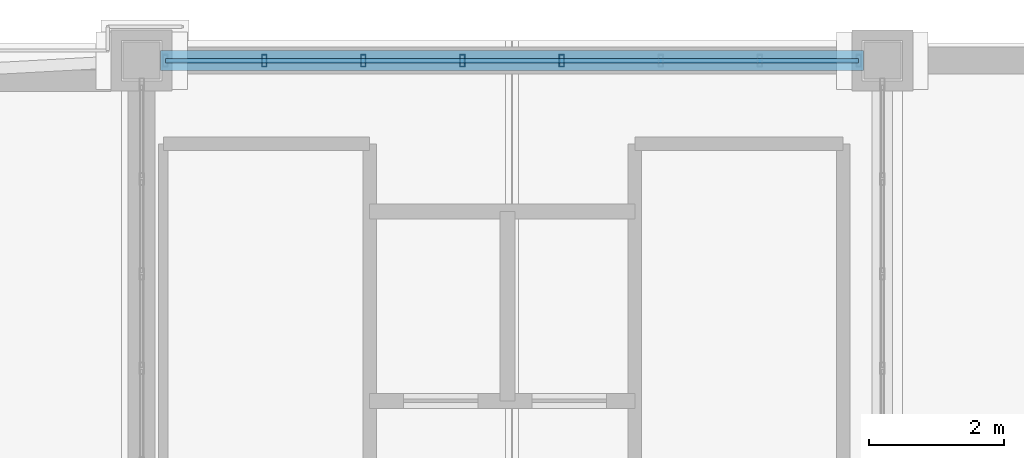
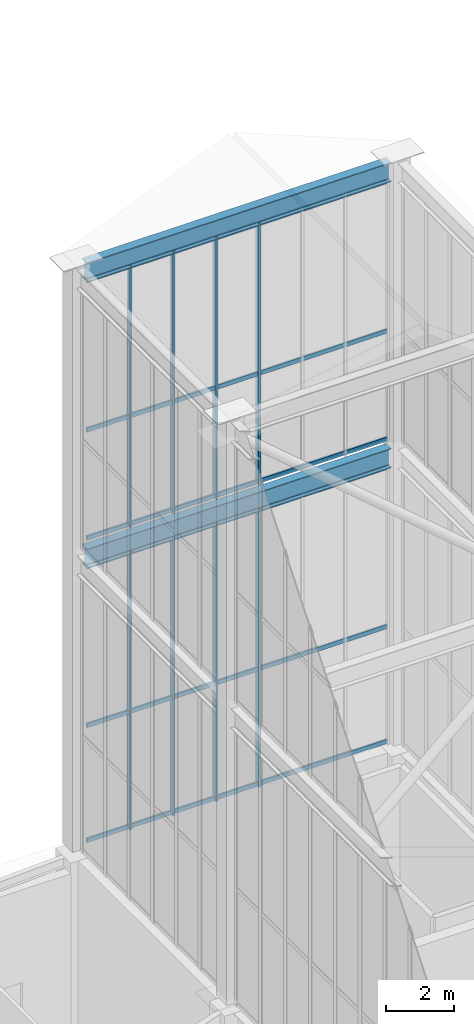
# One storey, part 22 of 135: 14 members, 2 beams, 2 elements without a shape of their own.
"""IFC4 building model written with IfcOpenShell, lengths in metres."""

from ifc_helpers import new_model, si_unit, direction, frame, origin, origin_2d, place, context, subcontext, project, spatial, hollow_rectangle, i_section, extrude, source, transform, mapped, material, layer, layer_set, material_profile, profile_set, type_object, element, aggregate, save


model = new_model("IFC4")

# Units and contexts
model_context = context("Model", 3, precision=1e-05, world=origin(), true_north=direction((0.0, 1.0)))
body_context = subcontext(model_context, "Body", "Model", "MODEL_VIEW")
ifc_project = project(units=[si_unit("LENGTHUNIT", "METRE"), si_unit("AREAUNIT", "SQUARE_METRE"), si_unit("VOLUMEUNIT", "CUBIC_METRE"), si_unit("PLANEANGLEUNIT", "RADIAN"), si_unit("MASSUNIT", "GRAM", prefix="KILO")], contexts=[model_context])

# Site, building, storey
site_placement = place(None, origin())
site = spatial("IfcSite", under=ifc_project, at=site_placement, CompositionType="ELEMENT")
building_placement = place(site_placement, origin())
building = spatial("IfcBuilding", under=site, at=building_placement, Name="Giltprow Tower", CompositionType="ELEMENT")
storey_placement = place(building_placement, frame((0.0, 0.0, 352.699951171875)))
storey = spatial("IfcBuildingStorey", under=building, at=storey_placement, Name="L92", CompositionType="ELEMENT", Elevation=352.699951171875)

# Beams
ifc_material_1 = material(Name="Structural steel Q355B", Category="steel")
ifc_material_profile_1 = material_profile(ifc_material_1, i_section(OverallWidth=0.300048828125, OverallDepth=0.699951171875, WebThickness=0.012939453125, FlangeThickness=0.02392578125, at=origin_2d()), Name="HN 700x300x13x24")
ifc_profile_set_1 = profile_set([ifc_material_profile_1], Name="Structural steel Q355B")
beam_type = type_object("IfcBeamType", Name="BM-CRN-RING-HN700", PredefinedType="BEAM", material=ifc_profile_set_1)
shared_shape_1 = source(origin(), body_context, "Body", "SweptSolid", [
    extrude(i_section(OverallWidth=0.300048828125, OverallDepth=0.699951171875, WebThickness=0.012939453125, FlangeThickness=0.02392578125, at=origin_2d()), origin(), (0.0, 0.0, 1.0), 10.39013671875),
])
for number, where, z_axis, x_axis, name in (
    (1, (30.52001953125, 46.550048828125, 16.699951171875), (-1.0, 0.0, 0.0), (0.0, -1.0, 0.0), "Crown Frame West Ring Beam 1-4"),
    (2, (30.52001953125, 46.550048828125, 27.01708984375), (-1.0, 0.0, 0.0), (0.0, -1.0, 0.0), "Crown Frame West Ring Beam 2-4"),
):
    element("IfcBeam", number, at=place(storey_placement, frame(where, z_axis=z_axis, x_axis=x_axis)), inside=storey, type_object=beam_type, Name=name, PredefinedType="BEAM", context=body_context, shape_type="MappedRepresentation", body=[
        mapped(shared_shape_1, transform((0.0, 0.0, 0.0), x_axis=(1.0, 0.0, 0.0), y_axis=(0.0, 1.0, 0.0), z_axis=(0.0, 0.0, 1.0), scale=1.0)),
    ])

# Curtain wall, members
ifc_material_2 = material(Name="Anodized bronze", Category="metal")
ifc_layer = layer(ifc_material_2, 0.179931640625, Name="Anodized bronze")
ifc_layer_set = layer_set([ifc_layer], Name="Anodized bronze")
curtain_wall_type = type_object("IfcCurtainWallType", Name="CW-CROWN-LANTERN", PredefinedType="NOTDEFINED", material=ifc_layer_set)
curtain_wall_1_placement = place(storey_placement, origin())
curtain_wall_1 = element("IfcCurtainWall", 3, at=curtain_wall_1_placement, inside=storey, type_object=curtain_wall_type, Name="Crown West Lower Lantern Glazing 4", PredefinedType="NOTDEFINED")
ifc_material_profile_2 = material_profile(ifc_material_2, hollow_rectangle(XDim=0.074951171875, YDim=0.179931640625, WallThickness=0.008056640625, at=origin_2d()), Name="RHS 180x75x8")
ifc_profile_set_2 = profile_set([ifc_material_profile_2], Name="Anodized bronze")
member_type_1 = type_object("IfcMemberType", Name="CW-MULLION-180x75", PredefinedType="MULLION", material=ifc_profile_set_2)
shared_shape_2 = source(origin(), body_context, "Body", "SweptSolid", [
    extrude(hollow_rectangle(XDim=0.074951171875, YDim=0.179931640625, WallThickness=0.008056640625, at=origin_2d()), origin(), (0.0, 0.0, 1.0), 10.030029296875),
])
member_1_placement = place(storey_placement, frame((26.056884765625, 46.550048828125, 6.35009765625), z_axis=(0.0, 0.0, 1.0), x_axis=(1.0, 0.0, 0.0)))
member_1 = element("IfcMember", 4, at=member_1_placement, type_object=member_type_1, Name="Crown West Lower Lantern Glazing 4 Mullion 4", PredefinedType="MULLION", context=body_context, shape_type="MappedRepresentation", body=[
    mapped(shared_shape_2, transform((0.0, 0.0, 0.0), x_axis=(1.0, 0.0, 0.0), y_axis=(0.0, 1.0, 0.0), z_axis=(0.0, 0.0, 1.0), scale=1.0)),
])
member_2_placement = place(storey_placement, frame((24.593017578125, 46.550048828125, 6.35009765625), z_axis=(0.0, 0.0, 1.0), x_axis=(1.0, 0.0, 0.0)))
member_2 = element("IfcMember", 5, at=member_2_placement, type_object=member_type_1, Name="Crown West Lower Lantern Glazing 4 Mullion 5", PredefinedType="MULLION", context=body_context, shape_type="MappedRepresentation", body=[
    mapped(shared_shape_2, transform((0.0, 0.0, 0.0), x_axis=(1.0, 0.0, 0.0), y_axis=(0.0, 1.0, 0.0), z_axis=(0.0, 0.0, 1.0), scale=1.0)),
])
member_3_placement = place(storey_placement, frame((23.12890625, 46.550048828125, 6.35009765625), z_axis=(0.0, 0.0, 1.0), x_axis=(1.0, 0.0, 0.0)))
member_3 = element("IfcMember", 6, at=member_3_placement, type_object=member_type_1, Name="Crown West Lower Lantern Glazing 4 Mullion 6", PredefinedType="MULLION", context=body_context, shape_type="MappedRepresentation", body=[
    mapped(shared_shape_2, transform((0.0, 0.0, 0.0), x_axis=(1.0, 0.0, 0.0), y_axis=(0.0, 1.0, 0.0), z_axis=(0.0, 0.0, 1.0), scale=1.0)),
])
member_4_placement = place(storey_placement, frame((21.6640625, 46.550048828125, 6.35009765625), z_axis=(0.0, 0.0, 1.0), x_axis=(1.0, 0.0, 0.0)))
member_4 = element("IfcMember", 7, at=member_4_placement, type_object=member_type_1, Name="Crown West Lower Lantern Glazing 4 Mullion 7", PredefinedType="MULLION", context=body_context, shape_type="MappedRepresentation", body=[
    mapped(shared_shape_2, transform((0.0, 0.0, 0.0), x_axis=(1.0, 0.0, 0.0), y_axis=(0.0, 1.0, 0.0), z_axis=(0.0, 0.0, 1.0), scale=1.0)),
])
ifc_material_profile_3 = material_profile(ifc_material_2, hollow_rectangle(XDim=0.06494140625, YDim=0.14990234375, WallThickness=0.006103515625, at=origin_2d()), Name="RHS 150x65x6")
ifc_profile_set_3 = profile_set([ifc_material_profile_3], Name="Anodized bronze")
member_type_2 = type_object("IfcMemberType", Name="CW-TRANSOM-150x65", PredefinedType="USERDEFINED", material=ifc_profile_set_3)
shared_shape_3 = source(origin(), body_context, "Body", "SweptSolid", [
    extrude(hollow_rectangle(XDim=0.06494140625, YDim=0.14990234375, WallThickness=0.006103515625, at=origin_2d()), origin(), (0.0, 0.0, 1.0), 10.25),
])
member_5_placement = place(storey_placement, frame((30.449951171875, 46.550048828125, 6.43994140625), z_axis=(-1.0, 0.0, 0.0), x_axis=(0.0, -1.0, 0.0)))
member_5 = element("IfcMember", 8, at=member_5_placement, type_object=member_type_2, Name="Crown West Lower Lantern Glazing 4 Transom 1", ObjectType="TRANSOM", PredefinedType="USERDEFINED", context=body_context, shape_type="MappedRepresentation", body=[
    mapped(shared_shape_3, transform((0.0, 0.0, 0.0), x_axis=(1.0, 0.0, 0.0), y_axis=(0.0, 1.0, 0.0), z_axis=(0.0, 0.0, 1.0), scale=1.0)),
])
member_6_placement = place(storey_placement, frame((30.449951171875, 46.550048828125, 10.5791015625), z_axis=(-1.0, 0.0, 0.0), x_axis=(0.0, -1.0, 0.0)))
member_6 = element("IfcMember", 9, at=member_6_placement, type_object=member_type_2, Name="Crown West Lower Lantern Glazing 4 Transom 2", ObjectType="TRANSOM", PredefinedType="USERDEFINED", context=body_context, shape_type="MappedRepresentation", body=[
    mapped(shared_shape_3, transform((0.0, 0.0, 0.0), x_axis=(1.0, 0.0, 0.0), y_axis=(0.0, 1.0, 0.0), z_axis=(0.0, 0.0, 1.0), scale=1.0)),
])
member_7_placement = place(storey_placement, frame((30.449951171875, 46.550048828125, 16.31005859375), z_axis=(-1.0, 0.0, 0.0), x_axis=(0.0, -1.0, 0.0)))
member_7 = element("IfcMember", 10, at=member_7_placement, type_object=member_type_2, Name="Crown West Lower Lantern Glazing 4 Transom 3", ObjectType="TRANSOM", PredefinedType="USERDEFINED", context=body_context, shape_type="MappedRepresentation", body=[
    mapped(shared_shape_3, transform((0.0, 0.0, 0.0), x_axis=(1.0, 0.0, 0.0), y_axis=(0.0, 1.0, 0.0), z_axis=(0.0, 0.0, 1.0), scale=1.0)),
])
aggregate(curtain_wall_1, [member_1, member_2, member_3, member_4, member_5, member_6, member_7])

curtain_wall_2_placement = place(storey_placement, origin())
curtain_wall_2 = element("IfcCurtainWall", 11, at=curtain_wall_2_placement, inside=storey, type_object=curtain_wall_type, Name="Crown West Upper Lantern Glazing 4", PredefinedType="NOTDEFINED")
member_8_placement = place(storey_placement, frame((30.449951171875, 46.550048828125, 17.340087890625), z_axis=(-1.0, 0.0, 0.0), x_axis=(0.0, -1.0, 0.0)))
member_8 = element("IfcMember", 12, at=member_8_placement, type_object=member_type_2, Name="Crown West Upper Lantern Glazing 4 Transom 1", ObjectType="TRANSOM", PredefinedType="USERDEFINED", context=body_context, shape_type="MappedRepresentation", body=[
    mapped(shared_shape_3, transform((0.0, 0.0, 0.0), x_axis=(1.0, 0.0, 0.0), y_axis=(0.0, 1.0, 0.0), z_axis=(0.0, 0.0, 1.0), scale=1.0)),
])
member_9_placement = place(storey_placement, frame((30.449951171875, 46.550048828125, 21.234130859375), z_axis=(-1.0, 0.0, 0.0), x_axis=(0.0, -1.0, 0.0)))
member_9 = element("IfcMember", 13, at=member_9_placement, type_object=member_type_2, Name="Crown West Upper Lantern Glazing 4 Transom 2", ObjectType="TRANSOM", PredefinedType="USERDEFINED", context=body_context, shape_type="MappedRepresentation", body=[
    mapped(shared_shape_3, transform((0.0, 0.0, 0.0), x_axis=(1.0, 0.0, 0.0), y_axis=(0.0, 1.0, 0.0), z_axis=(0.0, 0.0, 1.0), scale=1.0)),
])
member_10_placement = place(storey_placement, frame((30.449951171875, 46.550048828125, 26.626953125), z_axis=(-1.0, 0.0, 0.0), x_axis=(0.0, -1.0, 0.0)))
member_10 = element("IfcMember", 14, at=member_10_placement, type_object=member_type_2, Name="Crown West Upper Lantern Glazing 4 Transom 3", ObjectType="TRANSOM", PredefinedType="USERDEFINED", context=body_context, shape_type="MappedRepresentation", body=[
    mapped(shared_shape_3, transform((0.0, 0.0, 0.0), x_axis=(1.0, 0.0, 0.0), y_axis=(0.0, 1.0, 0.0), z_axis=(0.0, 0.0, 1.0), scale=1.0)),
])
shared_shape_4 = source(origin(), body_context, "Body", "SweptSolid", [
    extrude(hollow_rectangle(XDim=0.074951171875, YDim=0.179931640625, WallThickness=0.008056640625, at=origin_2d()), origin(), (0.0, 0.0, 1.0), 9.45703125),
])
member_11_placement = place(storey_placement, frame((26.056884765625, 46.550048828125, 17.25), z_axis=(0.0, 0.0, 1.0), x_axis=(1.0, 0.0, 0.0)))
member_11 = element("IfcMember", 15, at=member_11_placement, type_object=member_type_1, Name="Crown West Upper Lantern Glazing 4 Mullion 4", PredefinedType="MULLION", context=body_context, shape_type="MappedRepresentation", body=[
    mapped(shared_shape_4, transform((0.0, 0.0, 0.0), x_axis=(1.0, 0.0, 0.0), y_axis=(0.0, 1.0, 0.0), z_axis=(0.0, 0.0, 1.0), scale=1.0)),
])
member_12_placement = place(storey_placement, frame((24.593017578125, 46.550048828125, 17.25), z_axis=(0.0, 0.0, 1.0), x_axis=(1.0, 0.0, 0.0)))
member_12 = element("IfcMember", 16, at=member_12_placement, type_object=member_type_1, Name="Crown West Upper Lantern Glazing 4 Mullion 5", PredefinedType="MULLION", context=body_context, shape_type="MappedRepresentation", body=[
    mapped(shared_shape_4, transform((0.0, 0.0, 0.0), x_axis=(1.0, 0.0, 0.0), y_axis=(0.0, 1.0, 0.0), z_axis=(0.0, 0.0, 1.0), scale=1.0)),
])
member_13_placement = place(storey_placement, frame((23.12890625, 46.550048828125, 17.25), z_axis=(0.0, 0.0, 1.0), x_axis=(1.0, 0.0, 0.0)))
member_13 = element("IfcMember", 17, at=member_13_placement, type_object=member_type_1, Name="Crown West Upper Lantern Glazing 4 Mullion 6", PredefinedType="MULLION", context=body_context, shape_type="MappedRepresentation", body=[
    mapped(shared_shape_4, transform((0.0, 0.0, 0.0), x_axis=(1.0, 0.0, 0.0), y_axis=(0.0, 1.0, 0.0), z_axis=(0.0, 0.0, 1.0), scale=1.0)),
])
member_14_placement = place(storey_placement, frame((21.6640625, 46.550048828125, 17.25), z_axis=(0.0, 0.0, 1.0), x_axis=(1.0, 0.0, 0.0)))
member_14 = element("IfcMember", 18, at=member_14_placement, type_object=member_type_1, Name="Crown West Upper Lantern Glazing 4 Mullion 7", PredefinedType="MULLION", context=body_context, shape_type="MappedRepresentation", body=[
    mapped(shared_shape_4, transform((0.0, 0.0, 0.0), x_axis=(1.0, 0.0, 0.0), y_axis=(0.0, 1.0, 0.0), z_axis=(0.0, 0.0, 1.0), scale=1.0)),
])
aggregate(curtain_wall_2, [member_11, member_12, member_13, member_14, member_8, member_9, member_10])

save(model, "model.ifc")
